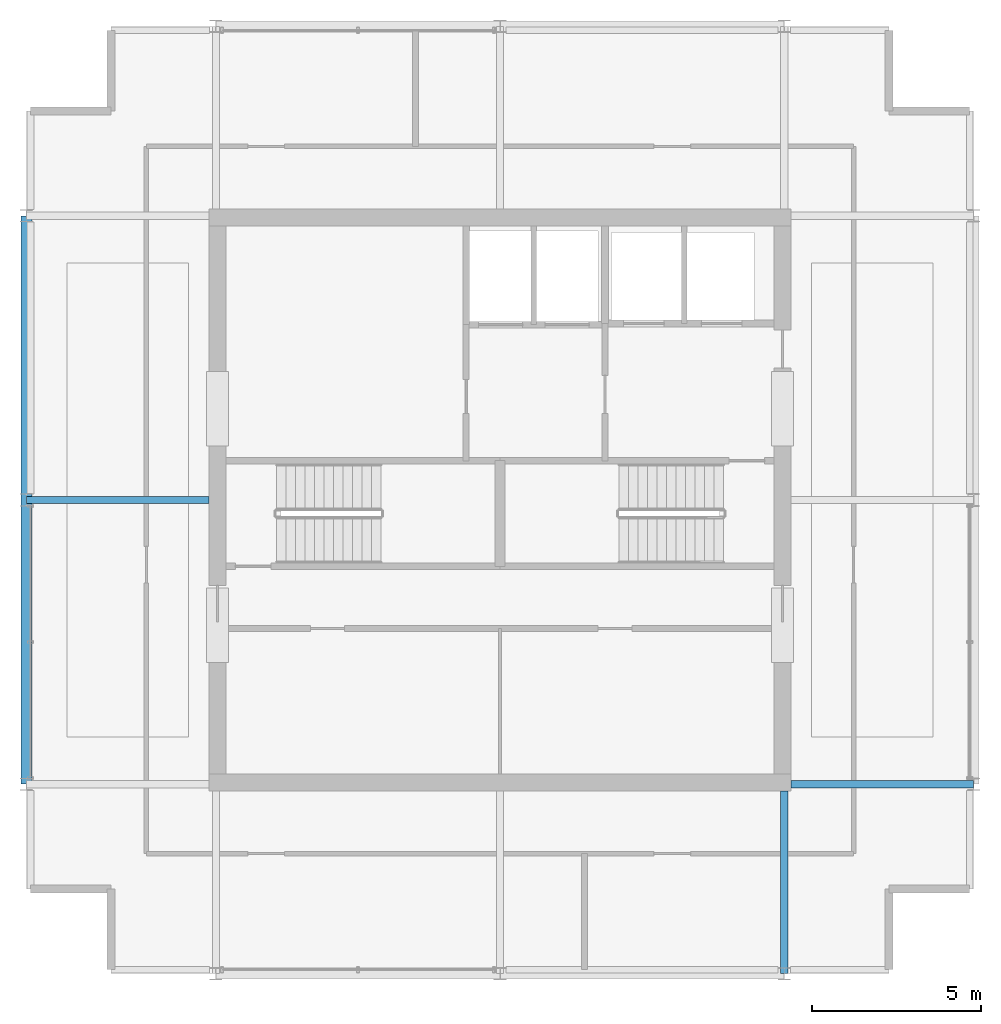
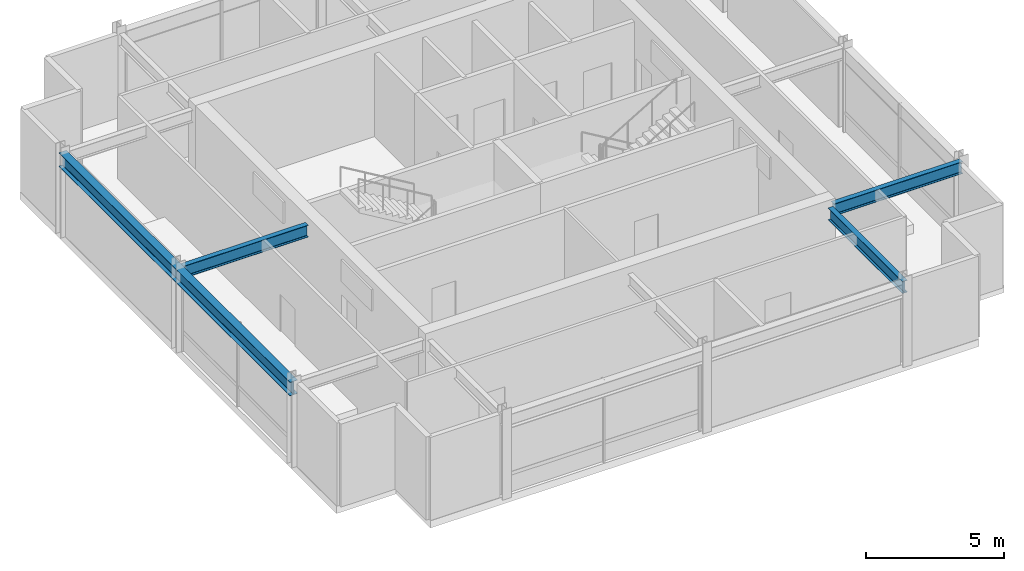
# One storey, part 5 of 12: 4 beams.
"""IFC4 building model written with IfcOpenShell, lengths in metres."""

from ifc_helpers import new_model, si_unit, direction, frame, origin, origin_2d, place, context, subcontext, project, spatial, i_section, extrude, material, material_profile, profile_set, type_object, element, save


model = new_model("IFC4")

# Units and contexts
model_context = context("Model", 3, precision=1e-05, world=origin(), true_north=direction((0.0, 1.0)))
body_context = subcontext(model_context, "Body", "Model", "MODEL_VIEW")
ifc_project = project(units=[si_unit("LENGTHUNIT", "METRE"), si_unit("AREAUNIT", "SQUARE_METRE"), si_unit("VOLUMEUNIT", "CUBIC_METRE"), si_unit("PLANEANGLEUNIT", "RADIAN"), si_unit("MASSUNIT", "GRAM", prefix="KILO")], contexts=[model_context])

# Site, building, storey
site_placement = place(None, origin())
site = spatial("IfcSite", under=ifc_project, at=site_placement, CompositionType="ELEMENT")
building_placement = place(site_placement, origin())
building = spatial("IfcBuilding", under=site, at=building_placement, Name="Drelvath Grand Hotel", CompositionType="ELEMENT")
storey_placement = place(building_placement, frame((0.0, 0.0, 315.39990234375)))
storey = spatial("IfcBuildingStorey", under=building, at=storey_placement, Name="L82", CompositionType="ELEMENT", Elevation=315.39990234375)

# Beams
ifc_material = material(Name="Steel ASTM A992 Gr 50", Category="steel")
ifc_material_profile_1 = material_profile(ifc_material, i_section(OverallWidth=0.210205078125, OverallDepth=0.53662109375, WebThickness=0.010986328125, FlangeThickness=0.017333984375, FilletRadius=0.01806640625, at=origin_2d()), Name="W21X68")
ifc_profile_set_1 = profile_set([ifc_material_profile_1], Name="Steel ASTM A992 Gr 50")
beam_type_1 = type_object("IfcBeamType", Name="Primary Floor Girder W21X68", PredefinedType="BEAM", material=ifc_profile_set_1)
for number, where, z_axis, x_axis, name in (
    (1, (8.60009765625, 18.60009765625, 3.41162109375), (1.0, 0.0, 0.0), (0.0, 1.0, 0.0), "L82 Crown Drum Tie East D"),
    (2, (-14.0, 27.0, 3.41162109375), (1.0, 0.0, 0.0), (0.0, 1.0, 0.0), "L82 Crown Drum Tie West E"),
    (3, (8.39990234375, 13.0, 3.41162109375), (0.0, 1.0, 0.0), (-1.0, 0.0, 0.0), "L82 Crown Drum Tie South 6"),
):
    element("IfcBeam", number, at=place(storey_placement, frame(where, z_axis=z_axis, x_axis=x_axis)), inside=storey, type_object=beam_type_1, Name=name, PredefinedType="BEAM", context=body_context, shape_type="SweptSolid", body=[
        extrude(i_section(OverallWidth=0.210205078125, OverallDepth=0.53662109375, WebThickness=0.010986328125, FlangeThickness=0.017333984375, FilletRadius=0.01806640625, at=origin_2d()), origin(), (0.0, 0.0, 1.0), 5.39990234375),
    ])
ifc_material_profile_2 = material_profile(ifc_material, i_section(OverallWidth=0.323974609375, OverallDepth=0.611083984375, WebThickness=0.0126953125, FlangeThickness=0.01904296875, FilletRadius=0.02197265625, at=origin_2d()), Name="W24X104")
ifc_profile_set_2 = profile_set([ifc_material_profile_2], Name="Steel ASTM A992 Gr 50")
beam_type_2 = type_object("IfcBeamType", Name="Primary Floor Girder W24X104", PredefinedType="BEAM", material=ifc_profile_set_2)
beam_placement = place(storey_placement, frame((-14.0, 18.60009765625, 3.37451171875), z_axis=(0.0, 1.0, 0.0), x_axis=(-1.0, 0.0, 0.0)))
element("IfcBeam", 4, at=beam_placement, inside=storey, type_object=beam_type_2, Name="L82 Crown Drum Ring Beam West", PredefinedType="BEAM", context=body_context, shape_type="SweptSolid", body=[
    extrude(i_section(OverallWidth=0.323974609375, OverallDepth=0.611083984375, WebThickness=0.0126953125, FlangeThickness=0.01904296875, FilletRadius=0.02197265625, at=origin_2d()), origin(), (0.0, 0.0, 1.0), 16.7998046875),
])

save(model, "model.ifc")
